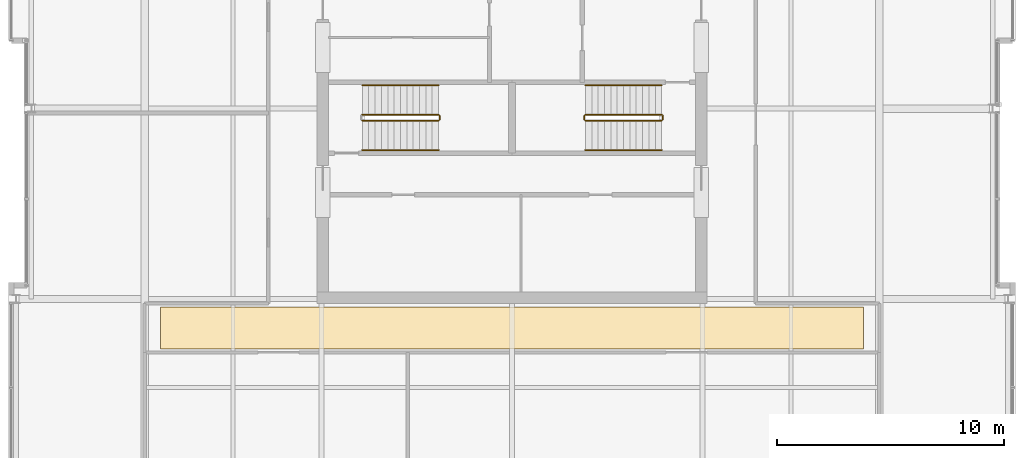
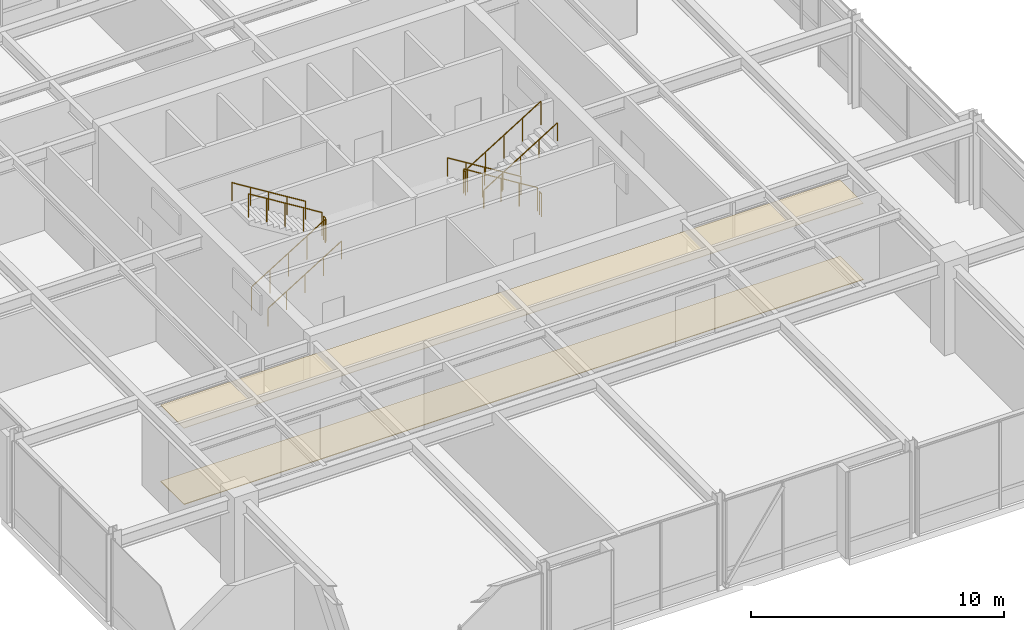
# One storey, part 31 of 32: 11 railings, 2 coverings.
"""IFC4 building model written with IfcOpenShell, lengths in metres."""

from ifc_helpers import new_model, si_unit, direction, frame, origin, origin_2d, place, context, subcontext, project, spatial, polyline, circle, outline, extrude, material, layer, layer_set, type_object, element, save


model = new_model("IFC4")

# Units and contexts
model_context = context("Model", 3, precision=1e-05, world=origin(), true_north=direction((0.0, 1.0)))
body_context = subcontext(model_context, "Body", "Model", "MODEL_VIEW")
ifc_project = project(units=[si_unit("LENGTHUNIT", "METRE"), si_unit("AREAUNIT", "SQUARE_METRE"), si_unit("VOLUMEUNIT", "CUBIC_METRE"), si_unit("PLANEANGLEUNIT", "RADIAN"), si_unit("MASSUNIT", "GRAM", prefix="KILO")], contexts=[model_context])

# Site, building, storey
site_placement = place(None, origin())
site = spatial("IfcSite", under=ifc_project, at=site_placement, CompositionType="ELEMENT")
building_placement = place(site_placement, origin())
building = spatial("IfcBuilding", under=site, at=building_placement, Name="Drelvath Grand Hotel", CompositionType="ELEMENT")
storey_placement = place(building_placement, frame((0.0, 0.0, 255.5)))
storey = spatial("IfcBuildingStorey", under=building, at=storey_placement, Name="L67", CompositionType="ELEMENT", Elevation=255.5)

# Covering
ifc_material_1 = material(Name="Acoustic Gypsum Board")
ifc_layer_1 = layer(ifc_material_1, 0.02490234375)
ifc_layer_set_1 = layer_set([ifc_layer_1], Name="Acoustic Gypsum Board")
covering_type_1 = type_object("IfcCoveringType", Name="Acoustic Gypsum Hospitality Ceiling 25", PredefinedType="CEILING", material=ifc_layer_set_1)
covering_1_placement = place(storey_placement, frame((0.0, 0.0, 3.679931640625)))
element("IfcCovering", 1, at=covering_1_placement, inside=storey, type_object=covering_type_1, Name="L67 Sky Foyer Ceiling", PredefinedType="CEILING", context=body_context, shape_type="SweptSolid", body=[
    extrude(outline(polyline([(15.5, 16.39990234375), (15.5, 18.25), (-15.5, 18.25), (-15.5, 16.39990234375), (15.5, 16.39990234375)])), origin(), (0.0, 0.0, 1.0), 0.025146484375),
])

# Railings
ifc_material_2 = material(Name="Painted Steel S275", Category="steel")
railing_type_1 = type_object("IfcRailingType", Name="Core Stair Wall Handrail 900", PredefinedType="HANDRAIL", material=ifc_material_2)
railing_1_placement = place(storey_placement, frame((-6.60009765625, 25.169921875, 0.173095703125)))
element("IfcRailing", 2, at=railing_1_placement, inside=storey, type_object=railing_type_1, Name="L67 ST-1 stair handrail 1", PredefinedType="HANDRAIL", context=body_context, shape_type="SweptSolid", body=[
    extrude(circle(Radius=0.02392578125, at=origin_2d()), frame((0.0, 0.0, 0.8759765625), z_axis=(0.850623216509, 0.0, 0.525775754039), x_axis=(0.0, 1.0, 0.0)), (0.0, 0.0, 1.0), 3.9501953125),
    extrude(circle(Radius=0.02099609375, at=origin_2d()), origin(), (0.0, 0.0, 1.0), 0.851806640625),
    extrude(circle(Radius=0.02099609375, at=origin_2d()), frame((0.840087890625, 0.0, 0.519287109375)), (0.0, 0.0, 1.0), 0.851806640625),
    extrude(circle(Radius=0.02099609375, at=origin_2d()), frame((1.68017578125, 0.0, 1.03857421875)), (0.0, 0.0, 1.0), 0.851806640625),
    extrude(circle(Radius=0.02099609375, at=origin_2d()), frame((2.52001953125, 0.0, 1.5576171875)), (0.0, 0.0, 1.0), 0.851806640625),
    extrude(circle(Radius=0.02099609375, at=origin_2d()), frame((3.360107421875, 0.0, 2.076904296875)), (0.0, 0.0, 1.0), 0.851806640625),
])
for number, where, name in (
    (3, (-3.239990234375, 28.030029296875, 2.423095703125), "L67 ST-1 stair handrail 2"),
    (4, (6.60009765625, 28.030029296875, 0.173095703125), "L67 ST-2 stair handrail 1"),
):
    element("IfcRailing", number, at=place(storey_placement, frame(where)), inside=storey, type_object=railing_type_1, Name=name, PredefinedType="HANDRAIL", context=body_context, shape_type="SweptSolid", body=[
        extrude(circle(Radius=0.02392578125, at=origin_2d()), frame((0.0, 0.0, 0.8759765625), z_axis=(-0.850623216509, 0.0, 0.525775754039), x_axis=(0.0, -1.0, 0.0)), (0.0, 0.0, 1.0), 3.9501953125),
        extrude(circle(Radius=0.02099609375, at=origin_2d()), origin(), (0.0, 0.0, 1.0), 0.851806640625),
        extrude(circle(Radius=0.02099609375, at=origin_2d()), frame((-0.840087890625, 0.0, 0.519287109375)), (0.0, 0.0, 1.0), 0.851806640625),
        extrude(circle(Radius=0.02099609375, at=origin_2d()), frame((-1.68017578125, 0.0, 1.03857421875)), (0.0, 0.0, 1.0), 0.851806640625),
        extrude(circle(Radius=0.02099609375, at=origin_2d()), frame((-2.52001953125, 0.0, 1.5576171875)), (0.0, 0.0, 1.0), 0.851806640625),
        extrude(circle(Radius=0.02099609375, at=origin_2d()), frame((-3.360107421875, 0.0, 2.076904296875)), (0.0, 0.0, 1.0), 0.851806640625),
    ])
railing_2_placement = place(storey_placement, frame((3.239990234375, 25.169921875, 2.423095703125)))
element("IfcRailing", 5, at=railing_2_placement, inside=storey, type_object=railing_type_1, Name="L67 ST-2 stair handrail 2", PredefinedType="HANDRAIL", context=body_context, shape_type="SweptSolid", body=[
    extrude(circle(Radius=0.02392578125, at=origin_2d()), frame((0.0, 0.0, 0.8759765625), z_axis=(0.850623216509, 0.0, 0.525775754039), x_axis=(0.0, 1.0, 0.0)), (0.0, 0.0, 1.0), 3.9501953125),
    extrude(circle(Radius=0.02099609375, at=origin_2d()), origin(), (0.0, 0.0, 1.0), 0.851806640625),
    extrude(circle(Radius=0.02099609375, at=origin_2d()), frame((0.840087890625, 0.0, 0.519287109375)), (0.0, 0.0, 1.0), 0.851806640625),
    extrude(circle(Radius=0.02099609375, at=origin_2d()), frame((1.68017578125, 0.0, 1.03857421875)), (0.0, 0.0, 1.0), 0.851806640625),
    extrude(circle(Radius=0.02099609375, at=origin_2d()), frame((2.52001953125, 0.0, 1.5576171875)), (0.0, 0.0, 1.0), 0.851806640625),
    extrude(circle(Radius=0.02099609375, at=origin_2d()), frame((3.360107421875, 0.0, 2.076904296875)), (0.0, 0.0, 1.0), 0.851806640625),
])
railing_type_2 = type_object("IfcRailingType", Name="Core Stair Well Guardrail 1100", PredefinedType="GUARDRAIL", material=ifc_material_2)
railing_3_placement = place(storey_placement, frame((-6.60009765625, 26.469970703125, 0.173095703125)))
element("IfcRailing", 6, at=railing_3_placement, inside=storey, type_object=railing_type_2, Name="L67 ST-1 stair guard 1", PredefinedType="GUARDRAIL", context=body_context, shape_type="SweptSolid", body=[
    extrude(circle(Radius=0.02392578125, at=origin_2d()), frame((0.0, 0.0, 1.1259765625), z_axis=(0.850623216509, 0.0, 0.525775754039), x_axis=(0.0, 1.0, 0.0)), (0.0, 0.0, 1.0), 3.9501953125),
    extrude(circle(Radius=0.02099609375, at=origin_2d()), origin(), (0.0, 0.0, 1.0), 1.101806640625),
    extrude(circle(Radius=0.02099609375, at=origin_2d()), frame((0.840087890625, 0.0, 0.519287109375)), (0.0, 0.0, 1.0), 1.101806640625),
    extrude(circle(Radius=0.02099609375, at=origin_2d()), frame((1.68017578125, 0.0, 1.03857421875)), (0.0, 0.0, 1.0), 1.101806640625),
    extrude(circle(Radius=0.02099609375, at=origin_2d()), frame((2.52001953125, 0.0, 1.5576171875)), (0.0, 0.0, 1.0), 1.101806640625),
    extrude(circle(Radius=0.02099609375, at=origin_2d()), frame((3.360107421875, 0.0, 2.076904296875)), (0.0, 0.0, 1.0), 1.101806640625),
])
railing_4_placement = place(storey_placement, frame((-3.18994140625, 26.52001953125, 2.25)))
element("IfcRailing", 7, at=railing_4_placement, inside=storey, type_object=railing_type_2, Name="L67 ST-1 stair guard 2", PredefinedType="GUARDRAIL", context=body_context, shape_type="SweptSolid", body=[
    extrude(circle(Radius=0.02392578125, at=origin_2d()), frame((0.0, 0.0, 1.1259765625), z_axis=(0.0, 1.0, 0.0), x_axis=(-1.0, 0.0, 0.0)), (0.0, 0.0, 1.0), 0.159912109375),
    extrude(circle(Radius=0.02099609375, at=origin_2d()), origin(), (0.0, 0.0, 1.0), 1.101806640625),
    extrude(circle(Radius=0.02099609375, at=origin_2d()), frame((0.0, 0.159912109375, 0.0)), (0.0, 0.0, 1.0), 1.101806640625),
])
for number, where, name in (
    (8, (-3.239990234375, 26.72998046875, 2.423095703125), "L67 ST-1 stair guard 3"),
    (9, (6.60009765625, 26.72998046875, 0.173095703125), "L67 ST-2 stair guard 1"),
):
    element("IfcRailing", number, at=place(storey_placement, frame(where)), inside=storey, type_object=railing_type_2, Name=name, PredefinedType="GUARDRAIL", context=body_context, shape_type="SweptSolid", body=[
        extrude(circle(Radius=0.02392578125, at=origin_2d()), frame((0.0, 0.0, 1.1259765625), z_axis=(-0.850623216509, 0.0, 0.525775754039), x_axis=(0.0, -1.0, 0.0)), (0.0, 0.0, 1.0), 3.9501953125),
        extrude(circle(Radius=0.02099609375, at=origin_2d()), origin(), (0.0, 0.0, 1.0), 1.101806640625),
        extrude(circle(Radius=0.02099609375, at=origin_2d()), frame((-0.840087890625, 0.0, 0.519287109375)), (0.0, 0.0, 1.0), 1.101806640625),
        extrude(circle(Radius=0.02099609375, at=origin_2d()), frame((-1.68017578125, 0.0, 1.03857421875)), (0.0, 0.0, 1.0), 1.101806640625),
        extrude(circle(Radius=0.02099609375, at=origin_2d()), frame((-2.52001953125, 0.0, 1.5576171875)), (0.0, 0.0, 1.0), 1.101806640625),
        extrude(circle(Radius=0.02099609375, at=origin_2d()), frame((-3.360107421875, 0.0, 2.076904296875)), (0.0, 0.0, 1.0), 1.101806640625),
    ])
railing_5_placement = place(storey_placement, frame((3.18994140625, 26.679931640625, 2.25)))
element("IfcRailing", 10, at=railing_5_placement, inside=storey, type_object=railing_type_2, Name="L67 ST-2 stair guard 2", PredefinedType="GUARDRAIL", context=body_context, shape_type="SweptSolid", body=[
    extrude(circle(Radius=0.02392578125, at=origin_2d()), frame((0.0, 0.0, 1.1259765625), z_axis=(0.0, -1.0, 0.0), x_axis=(1.0, 0.0, 0.0)), (0.0, 0.0, 1.0), 0.159912109375),
    extrude(circle(Radius=0.02099609375, at=origin_2d()), origin(), (0.0, 0.0, 1.0), 1.101806640625),
    extrude(circle(Radius=0.02099609375, at=origin_2d()), frame((0.0, -0.159912109375, 0.0)), (0.0, 0.0, 1.0), 1.101806640625),
])
railing_6_placement = place(storey_placement, frame((3.239990234375, 26.469970703125, 2.423095703125)))
element("IfcRailing", 11, at=railing_6_placement, inside=storey, type_object=railing_type_2, Name="L67 ST-2 stair guard 3", PredefinedType="GUARDRAIL", context=body_context, shape_type="SweptSolid", body=[
    extrude(circle(Radius=0.02392578125, at=origin_2d()), frame((0.0, 0.0, 1.1259765625), z_axis=(0.850623216509, 0.0, 0.525775754039), x_axis=(0.0, 1.0, 0.0)), (0.0, 0.0, 1.0), 3.9501953125),
    extrude(circle(Radius=0.02099609375, at=origin_2d()), origin(), (0.0, 0.0, 1.0), 1.101806640625),
    extrude(circle(Radius=0.02099609375, at=origin_2d()), frame((0.840087890625, 0.0, 0.519287109375)), (0.0, 0.0, 1.0), 1.101806640625),
    extrude(circle(Radius=0.02099609375, at=origin_2d()), frame((1.68017578125, 0.0, 1.03857421875)), (0.0, 0.0, 1.0), 1.101806640625),
    extrude(circle(Radius=0.02099609375, at=origin_2d()), frame((2.52001953125, 0.0, 1.5576171875)), (0.0, 0.0, 1.0), 1.101806640625),
    extrude(circle(Radius=0.02099609375, at=origin_2d()), frame((3.360107421875, 0.0, 2.076904296875)), (0.0, 0.0, 1.0), 1.101806640625),
])
railing_7_placement = place(storey_placement, frame((6.64990234375, 26.679931640625, 0.0)))
element("IfcRailing", 12, at=railing_7_placement, inside=storey, type_object=railing_type_2, Name="L67 ST-2 stair guard 4", PredefinedType="GUARDRAIL", context=body_context, shape_type="SweptSolid", body=[
    extrude(circle(Radius=0.02392578125, at=origin_2d()), frame((0.0, 0.0, 1.1259765625), z_axis=(0.0, -1.0, 0.0), x_axis=(1.0, 0.0, 0.0)), (0.0, 0.0, 1.0), 0.159912109375),
    extrude(circle(Radius=0.02099609375, at=origin_2d()), origin(), (0.0, 0.0, 1.0), 1.101806640625),
    extrude(circle(Radius=0.02099609375, at=origin_2d()), frame((0.0, -0.159912109375, 0.0)), (0.0, 0.0, 1.0), 1.101806640625),
])

# Covering
ifc_material_3 = material(Name="Honed Indiana Limestone", Category="masonry")
ifc_layer_2 = layer(ifc_material_3, 0.030029296875)
ifc_layer_set_2 = layer_set([ifc_layer_2], Name="Honed Indiana Limestone")
covering_type_2 = type_object("IfcCoveringType", Name="Honed Limestone Lobby Flooring 30", PredefinedType="FLOORING", material=ifc_layer_set_2)
covering_2_placement = place(storey_placement, origin())
element("IfcCovering", 13, at=covering_2_placement, inside=storey, type_object=covering_type_2, Name="L67 Sky Foyer Stone Floor", PredefinedType="FLOORING", context=body_context, shape_type="SweptSolid", body=[
    extrude(outline(polyline([(15.5, 16.39990234375), (15.5, 18.25), (-15.5, 18.25), (-15.5, 16.39990234375), (15.5, 16.39990234375)])), origin(), (0.0, 0.0, 1.0), 0.030029296875),
])

save(model, "model.ifc")
